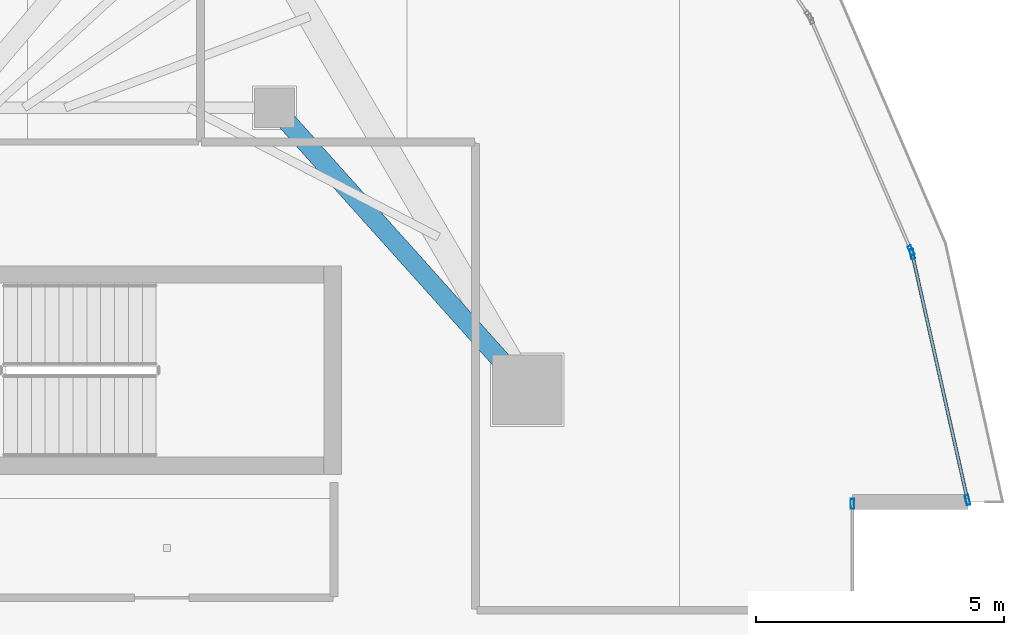
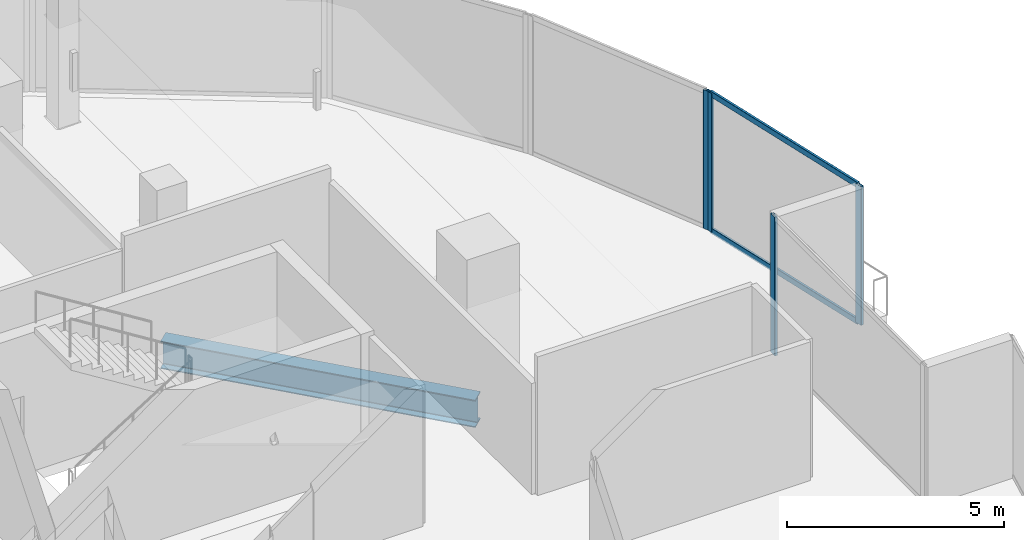
# One storey, part 10 of 25: 6 members, 1 beam, 3 elements without a shape of their own.
"""IFC4 building model written with IfcOpenShell, lengths in metres."""

import ifcopenshell
import ifcopenshell.guid

model = None  # the IFC model being written
_history = None  # IfcOwnerHistory: only IFC2X3 demands one
_inside = {}  # id of a spatial element -> (the spatial element, [elements in it])
_under = {}  # id of a project, library or spatial element -> (it, [spatial elements below it])
_declared = {}  # id of a project -> (the project, [libraries it declares])
_typed = {}  # id of a type object -> (the type object, [elements of that type])
_made_of = {}  # id of a material, layer set ... -> (it, [elements and type objects made of it])


def new_model(schema):
    """Start an empty IFC model of exactly this schema.

    Asked for "IFC4X3", IfcOpenShell would pick the latest addendum, in which some entities
    have other attributes; the version numbers below select the first issue.
    IFC2X3 requires an IfcOwnerHistory on every rooted entity: one is made here for all.
    """
    global model, _history
    if schema == "IFC4X3":
        model = ifcopenshell.file(schema_version=(4, 3, 0, 0))
    else:
        model = ifcopenshell.file(schema=schema)
    _inside.clear()
    _under.clear()
    _declared.clear()
    _typed.clear()
    _made_of.clear()
    _history = None
    if model.schema == "IFC2X3":
        org = make("IfcOrganization", Name="unknown")
        user = make(
            "IfcPersonAndOrganization",
            ThePerson=make("IfcPerson", FamilyName="unknown"),
            TheOrganization=org,
        )
        app = make(
            "IfcApplication",
            ApplicationDeveloper=org,
            Version="unknown",
            ApplicationFullName="unknown",
            ApplicationIdentifier="unknown",
        )
        _history = make(
            "IfcOwnerHistory",
            OwningUser=user,
            OwningApplication=app,
            ChangeAction="ADDED",
            CreationDate=0,
        )
    return model


def make(cls, **values):
    """One entity of the class cls with the attributes given. An attribute that is None is left unset."""
    return model.create_entity(
        cls, **{name: value for name, value in values.items() if value is not None}
    )


def rooted(cls, **values):
    """An entity with a GlobalId (a new one), such as an element, a storey or a relation."""
    return make(cls, GlobalId=ifcopenshell.guid.new(), OwnerHistory=_history, **values)


def si_unit(unit_type, name, prefix=None):
    """IfcSIUnit, for example si_unit("LENGTHUNIT", "METRE", prefix="MILLI")."""
    return make("IfcSIUnit", UnitType=unit_type, Prefix=prefix, Name=name)


def assignment(units):
    """IfcUnitAssignment: the units of a project."""
    return None if units is None else make("IfcUnitAssignment", Units=units)


def point(xyz):
    """IfcCartesianPoint."""
    return None if xyz is None else make("IfcCartesianPoint", Coordinates=xyz)


def direction(xyz):
    """IfcDirection."""
    return None if xyz is None else make("IfcDirection", DirectionRatios=xyz)


def frame(location, z_axis=None, x_axis=None):
    """IfcAxis2Placement3D, a coordinate frame: its origin and axes. An axis left out is left unset."""
    return make(
        "IfcAxis2Placement3D",
        Location=point(location),
        Axis=direction(z_axis),
        RefDirection=direction(x_axis),
    )


def frame_2d(location, x_axis=None):
    """IfcAxis2Placement2D, a coordinate frame in the plane: its origin and x axis."""
    return make(
        "IfcAxis2Placement2D", Location=point(location), RefDirection=direction(x_axis)
    )


def origin():
    """The frame at (0, 0, 0) with its axes left unset."""
    return frame((0.0, 0.0, 0.0))


def origin_2d():
    """The frame at (0, 0) in the plane with its x axis left unset."""
    return frame_2d((0.0, 0.0))


def place(relative_to, where):
    """IfcLocalPlacement: puts the frame where relative to a parent placement (None: the world)."""
    return make(
        "IfcLocalPlacement", PlacementRelTo=relative_to, RelativePlacement=where
    )


def context(
    kind, dimensions, precision=None, world=None, true_north=None, identifier=None
):
    """IfcGeometricRepresentationContext, for example the 3D "Model" context."""
    return make(
        "IfcGeometricRepresentationContext",
        ContextIdentifier=identifier,
        ContextType=kind,
        CoordinateSpaceDimension=dimensions,
        Precision=precision,
        WorldCoordinateSystem=world,
        TrueNorth=true_north,
    )


def subcontext(parent, identifier, kind, view, scale=None):
    """IfcGeometricRepresentationSubContext, for example "Body" below "Model"."""
    return make(
        "IfcGeometricRepresentationSubContext",
        ContextIdentifier=identifier,
        ContextType=kind,
        ParentContext=parent,
        TargetScale=scale,
        TargetView=view,
    )


def project(units=None, contexts=None):
    """IfcProject with its units and contexts."""
    return rooted(
        "IfcProject",
        Name="project",
        RepresentationContexts=contexts,
        UnitsInContext=assignment(units),
    )


def spatial(cls, under=None, at=None, **own):
    """A site, building, storey or space (cls), placed at a placement, below another one or the project."""
    s = rooted(cls, ObjectPlacement=at, **own)
    if under is not None:
        _under.setdefault(under.id(), (under, []))[1].append(s)
    return s


def profile(cls, at=None, kind="AREA", **sizes):
    """A parametric profile (cls). Its sizes go by their IFC names, for example OverallWidth=200.0."""
    return make(cls, ProfileType=kind, Position=at, **sizes)


def hollow_rectangle(**sizes):
    """IfcRectangleHollowProfileDef."""
    return profile("IfcRectangleHollowProfileDef", **sizes)


def i_section(**sizes):
    """IfcIShapeProfileDef."""
    return profile("IfcIShapeProfileDef", **sizes)


def extrude(swept, where, along, depth):
    """IfcExtrudedAreaSolid: the profile swept, set in the frame where, extruded along a direction by depth."""
    return make(
        "IfcExtrudedAreaSolid",
        SweptArea=swept,
        Position=where,
        ExtrudedDirection=direction(along),
        Depth=depth,
    )


def shape(context_of_items, identifier, shape_type, items):
    """IfcShapeRepresentation: the items that make up one representation, for example the "Body"."""
    return make(
        "IfcShapeRepresentation",
        ContextOfItems=context_of_items,
        RepresentationIdentifier=identifier,
        RepresentationType=shape_type,
        Items=items,
    )


def material(Name=None, Category=None):
    """IfcMaterial."""
    return make("IfcMaterial", Name=Name, Category=Category)


def layer(
    of_material, thickness, ventilated=None, Name=None, Category=None, Priority=None
):
    """IfcMaterialLayer: one layer of a wall or slab, of a material (None: an air gap)."""
    return make(
        "IfcMaterialLayer",
        Material=of_material,
        LayerThickness=thickness,
        IsVentilated=ventilated,
        Name=Name,
        Category=Category,
        Priority=Priority,
    )


def layer_set(layers, Name=None):
    """IfcMaterialLayerSet."""
    return make("IfcMaterialLayerSet", MaterialLayers=layers, LayerSetName=Name)


def material_profile(
    of_material, cross_section, Name=None, Category=None, Priority=None
):
    """IfcMaterialProfile: a cross section and its material."""
    return make(
        "IfcMaterialProfile",
        Name=Name,
        Material=of_material,
        Profile=cross_section,
        Priority=Priority,
        Category=Category,
    )


def profile_set(profiles, Name=None, composite=None):
    """IfcMaterialProfileSet."""
    return make(
        "IfcMaterialProfileSet",
        Name=Name,
        MaterialProfiles=profiles,
        CompositeProfile=composite,
    )


def made_of(thing, what):
    """Note that an element or type object is made of a material, layer set ...; save() writes the relation."""
    if what is not None:
        _made_of.setdefault(what.id(), (what, []))[1].append(thing)
    return thing


def type_object(cls, material=None, **own):
    """A type object (cls), such as IfcWallType, which elements share."""
    return made_of(rooted(cls, **own), material)


def element(
    cls,
    number,
    at=None,
    inside=None,
    cuts=None,
    type_object=None,
    material=None,
    context=None,
    identifier="Body",
    shape_type=None,
    held_by="IfcProductDefinitionShape",
    body=None,
    shapes=None,
    **own,
):
    """One element of the class cls, such as IfcWall. Its Tag is "e" and its number.

    at: its placement. inside: the storey or other place that contains it. cuts: it is an
    opening in that element (IfcRelVoidsElement). A single representation is given by context,
    identifier, shape_type and body (its items); several are given by shapes. held_by: the class
    of the entity that holds the representations. save() writes the other relations.
    """
    e = rooted(cls, Tag="e%d" % number, ObjectPlacement=at, **own)
    if body is not None:
        shapes = [shape(context, identifier, shape_type, body)]
    if shapes is not None:
        e.Representation = make(held_by, Representations=shapes)
    if inside is not None:
        _inside.setdefault(inside.id(), (inside, []))[1].append(e)
    if cuts is not None:
        rooted(
            "IfcRelVoidsElement", RelatingBuildingElement=cuts, RelatedOpeningElement=e
        )
    if type_object is not None:
        _typed.setdefault(type_object.id(), (type_object, []))[1].append(e)
    return made_of(e, material)


def aggregate(whole, parts):
    """IfcRelAggregates: a whole, such as a stair, and the parts it consists of."""
    return rooted("IfcRelAggregates", RelatingObject=whole, RelatedObjects=parts)


def save(model, path):
    """Write the relations noted so far, then the file.

    IfcRelAggregates (storeys below a building ...), IfcRelContainedInSpatialStructure (elements
    in a storey), IfcRelDefinesByType, IfcRelAssociatesMaterial and IfcRelDeclares: one each for
    every whole, place, type object, material and project.
    """
    for whole, parts in _under.values():
        aggregate(whole, parts)
    for where, things in _inside.values():
        rooted(
            "IfcRelContainedInSpatialStructure",
            RelatedElements=things,
            RelatingStructure=where,
        )
    for kind, things in _typed.values():
        rooted("IfcRelDefinesByType", RelatedObjects=things, RelatingType=kind)
    for what, things in _made_of.values():
        rooted("IfcRelAssociatesMaterial", RelatedObjects=things, RelatingMaterial=what)
    for by, libraries in _declared.values():
        rooted("IfcRelDeclares", RelatingContext=by, RelatedDefinitions=libraries)
    model.write(path)


model = new_model("IFC4")

# Units and contexts
model_context = context("Model", 3, precision=1e-05, world=origin(), true_north=direction((0.0, 1.0)))
body_context = subcontext(model_context, "Body", "Model", "MODEL_VIEW")
ifc_project = project(units=[si_unit("LENGTHUNIT", "METRE"), si_unit("AREAUNIT", "SQUARE_METRE"), si_unit("VOLUMEUNIT", "CUBIC_METRE"), si_unit("PLANEANGLEUNIT", "RADIAN"), si_unit("MASSUNIT", "GRAM", prefix="KILO")], contexts=[model_context])

# Site, building, storey
site_placement = place(None, origin())
site = spatial("IfcSite", under=ifc_project, at=site_placement, CompositionType="ELEMENT")
building_placement = place(site_placement, origin())
building = spatial("IfcBuilding", under=site, at=building_placement, Name="Qorvath Tower", CompositionType="ELEMENT")
storey_placement = place(building_placement, frame((0.0, 0.0, 297.60009765625)))
storey = spatial("IfcBuildingStorey", under=building, at=storey_placement, Name="L69", CompositionType="ELEMENT", Elevation=297.60009765625)

# Beam
ifc_material_1 = material(Name="Steel ASTM A992 Grade 50", Category="steel")
ifc_material_profile_1 = material_profile(ifc_material_1, i_section(OverallWidth=0.381103515625, OverallDepth=0.77294921875, WebThickness=0.0166015625, FlangeThickness=0.027099609375, FilletRadius=0.01904296875, at=origin_2d()), Name="W30x173")
ifc_profile_set_1 = profile_set([ifc_material_profile_1], Name="Steel ASTM A992 Grade 50")
beam_type = type_object("IfcBeamType", Name="BM-FG3", PredefinedType="BEAM", material=ifc_profile_set_1)
beam_placement = place(storey_placement, frame((-17.199951171875, 11.449951171875, -0.676513671875), z_axis=(0.667543184261, -0.744571082669, 0.0), x_axis=(0.744571082669, 0.667543184261, 0.0)))
element("IfcBeam", 1, at=beam_placement, inside=storey, type_object=beam_type, Name="Radial Floor Girder CC2-MC5 L69", PredefinedType="BEAM", context=body_context, shape_type="SweptSolid", body=[
    extrude(i_section(OverallWidth=0.381103515625, OverallDepth=0.77294921875, WebThickness=0.0166015625, FlangeThickness=0.027099609375, FilletRadius=0.01904296875, at=origin_2d()), origin(), (0.0, 0.0, 1.0), 7.644775390625),
])

# Curtain wall, member
ifc_material_2 = material(Name="Anodised aluminium and triple low-E glass", Category="aluminium")
ifc_layer = layer(ifc_material_2, 0.179931640625)
ifc_layer_set = layer_set([ifc_layer], Name="CW-SYS-5")
curtain_wall_type = type_object("IfcCurtainWallType", Name="CW-SYS-5", PredefinedType="NOTDEFINED", material=ifc_layer_set)
curtain_wall_1_placement = place(storey_placement, origin())
curtain_wall_1 = element("IfcCurtainWall", 2, at=curtain_wall_1_placement, inside=storey, type_object=curtain_wall_type, Name="Curtain Wall CW-5 CW-T-L69-9.1", PredefinedType="NOTDEFINED")
ifc_material_3 = material(Name="Anodised aluminium 6063-T6", Category="aluminium")
ifc_material_profile_2 = material_profile(ifc_material_3, hollow_rectangle(XDim=0.074951171875, YDim=0.199951171875, WallThickness=0.00390625, InnerFilletRadius=0.00390625, OuterFilletRadius=0.008056640625, at=origin_2d()), Name="CWM 200x75")
ifc_profile_set_2 = profile_set([ifc_material_profile_2], Name="Anodised aluminium 6063-T6")
member_type_1 = type_object("IfcMemberType", Name="CWM-200", PredefinedType="MULLION", material=ifc_profile_set_2)
member_1_placement = place(storey_placement, frame((-5.533447265625, 3.456298828125, 0.0), z_axis=(0.0, 0.0, 1.0), x_axis=(-1.0, 0.0, 0.0)))
member_1 = element("IfcMember", 3, at=member_1_placement, type_object=member_type_1, Name="CW-5 mullion 2", PredefinedType="MULLION", context=body_context, shape_type="SweptSolid", body=[
    extrude(hollow_rectangle(XDim=0.074951171875, YDim=0.199951171875, WallThickness=0.00390625, InnerFilletRadius=0.00390625, OuterFilletRadius=0.008056640625, at=origin_2d()), origin(), (0.0, 0.0, 1.0), 3.909912109375),
])
aggregate(curtain_wall_1, [member_1])

# Curtain wall, members
curtain_wall_2_placement = place(storey_placement, origin())
curtain_wall_2 = element("IfcCurtainWall", 4, at=curtain_wall_2_placement, inside=storey, type_object=curtain_wall_type, Name="Curtain Wall CW-5 CW-T-L69-11.1", PredefinedType="NOTDEFINED")
member_2_placement = place(storey_placement, frame((-3.21240234375, 3.530517578125, 0.0), z_axis=(0.0, 0.0, 1.0), x_axis=(-0.975659156603, -0.219292521844, 0.0)))
member_2 = element("IfcMember", 5, at=member_2_placement, type_object=member_type_1, Name="CW-5 mullion 1", PredefinedType="MULLION", context=body_context, shape_type="SweptSolid", body=[
    extrude(hollow_rectangle(XDim=0.074951171875, YDim=0.199951171875, WallThickness=0.00390625, InnerFilletRadius=0.00390625, OuterFilletRadius=0.008056640625, at=origin_2d()), origin(), (0.0, 0.0, 1.0), 3.909912109375),
])
member_3_placement = place(storey_placement, frame((-4.3291015625, 8.49853515625, 0.0), z_axis=(0.0, 0.0, 1.0), x_axis=(-0.975659156603, -0.219292521844, 0.0)))
member_3 = element("IfcMember", 6, at=member_3_placement, type_object=member_type_1, Name="CW-5 mullion 2", PredefinedType="MULLION", context=body_context, shape_type="SweptSolid", body=[
    extrude(hollow_rectangle(XDim=0.074951171875, YDim=0.199951171875, WallThickness=0.00390625, InnerFilletRadius=0.00390625, OuterFilletRadius=0.008056640625, at=origin_2d()), origin(), (0.0, 0.0, 1.0), 3.909912109375),
])

# Curtain wall, member
curtain_wall_3_placement = place(storey_placement, origin())
curtain_wall_3 = element("IfcCurtainWall", 7, at=curtain_wall_3_placement, inside=storey, type_object=curtain_wall_type, Name="Curtain Wall CW-5 CW-T-L69-12.1", PredefinedType="NOTDEFINED")
member_4_placement = place(storey_placement, frame((-4.352294921875, 8.569580078125, 0.0), z_axis=(0.0, 0.0, 1.0), x_axis=(-0.91753373573, -0.397657948238, 0.0)))
member_4 = element("IfcMember", 8, at=member_4_placement, type_object=member_type_1, Name="CW-5 mullion 1", PredefinedType="MULLION", context=body_context, shape_type="SweptSolid", body=[
    extrude(hollow_rectangle(XDim=0.074951171875, YDim=0.199951171875, WallThickness=0.00390625, InnerFilletRadius=0.00390625, OuterFilletRadius=0.008056640625, at=origin_2d()), origin(), (0.0, 0.0, 1.0), 3.909912109375),
])
aggregate(curtain_wall_3, [member_4])

# Member
ifc_material_4 = material(Name="Anodised aluminium 6063-T6", Category="aluminium")
ifc_material_profile_3 = material_profile(ifc_material_4, hollow_rectangle(XDim=0.06494140625, YDim=0.159912109375, WallThickness=0.00341796875, InnerFilletRadius=0.00341796875, OuterFilletRadius=0.007080078125, at=origin_2d()), Name="CWT 160x65")
ifc_profile_set_3 = profile_set([ifc_material_profile_3], Name="Anodised aluminium 6063-T6")
member_type_2 = type_object("IfcMemberType", Name="CWT-160", PredefinedType="USERDEFINED", material=ifc_profile_set_3)
member_5_placement = place(storey_placement, frame((-3.220703125, 3.567138671875, 0.032470703125), z_axis=(-0.219325759209, 0.975651685463, 0.0), x_axis=(-0.975651685463, -0.219325759209, 0.0)))
member_5 = element("IfcMember", 9, at=member_5_placement, type_object=member_type_2, Name="CW-5 transom 1.1", ObjectType="TRANSOM", PredefinedType="USERDEFINED", context=body_context, shape_type="SweptSolid", body=[
    extrude(hollow_rectangle(XDim=0.06494140625, YDim=0.159912109375, WallThickness=0.00341796875, InnerFilletRadius=0.00341796875, OuterFilletRadius=0.007080078125, at=origin_2d()), origin(), (0.0, 0.0, 1.0), 5.016845703125),
])

member_6_placement = place(storey_placement, frame((-3.220703125, 3.567138671875, 3.87744140625), z_axis=(-0.219325759209, 0.975651685463, 0.0), x_axis=(-0.975651685463, -0.219325759209, 0.0)))
member_6 = element("IfcMember", 10, at=member_6_placement, type_object=member_type_2, Name="CW-5 transom 1.2", ObjectType="TRANSOM", PredefinedType="USERDEFINED", context=body_context, shape_type="SweptSolid", body=[
    extrude(hollow_rectangle(XDim=0.06494140625, YDim=0.159912109375, WallThickness=0.00341796875, InnerFilletRadius=0.00341796875, OuterFilletRadius=0.007080078125, at=origin_2d()), origin(), (0.0, 0.0, 1.0), 5.016845703125),
])

aggregate(curtain_wall_2, [member_2, member_3, member_5, member_6])

save(model, "model.ifc")
